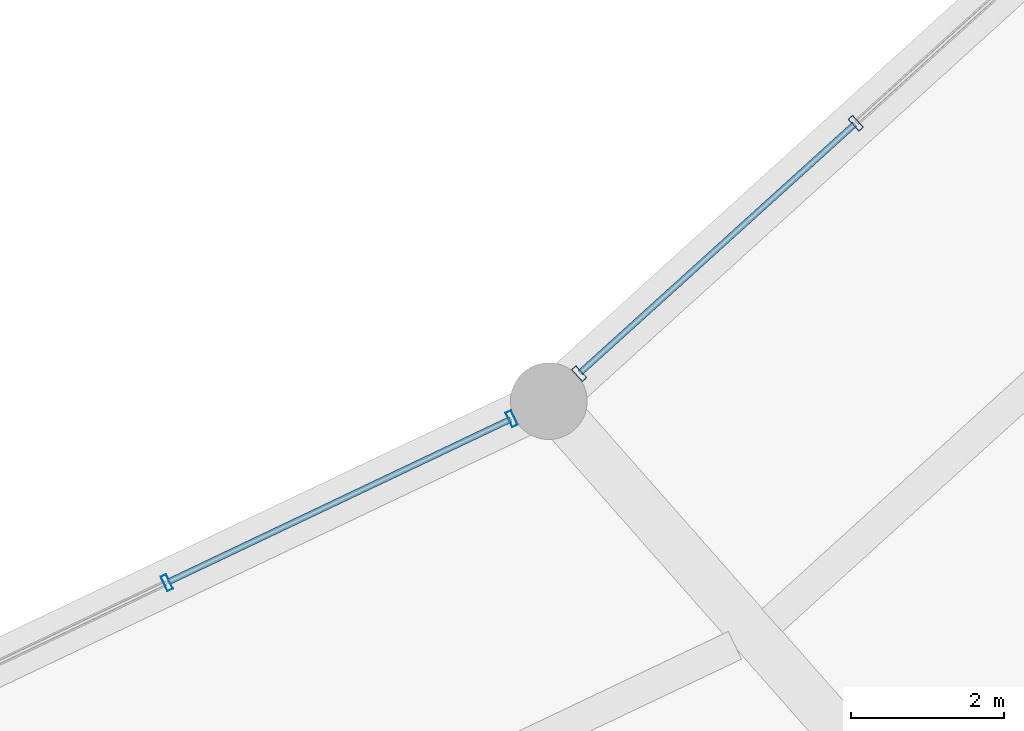
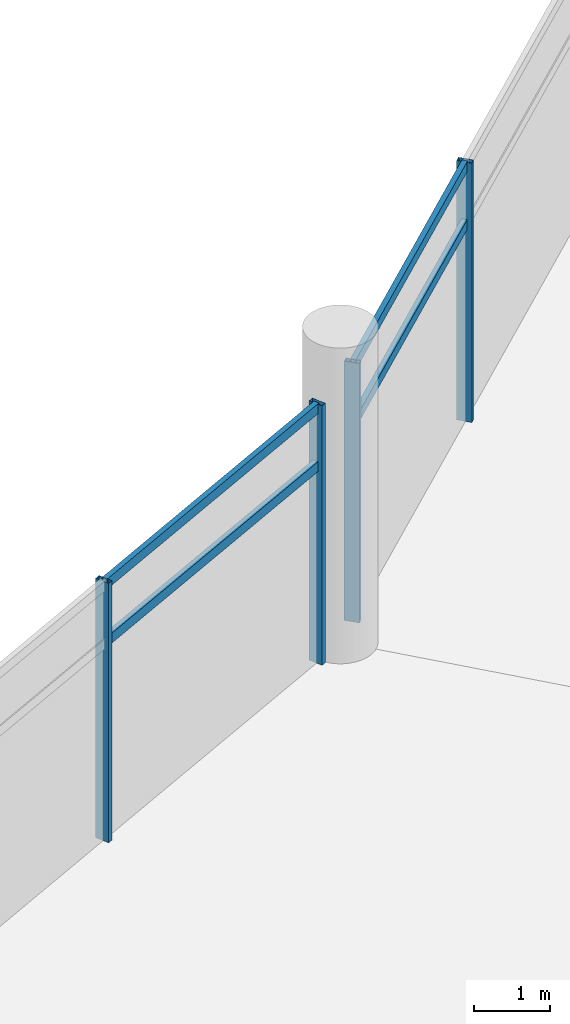
# One storey, part 67 of 184: 8 members, 2 elements without a shape of their own.
"""IFC4 building model written with IfcOpenShell, lengths in metres."""

from ifc_helpers import new_model, si_unit, direction, frame, origin, origin_2d, place, context, subcontext, project, spatial, hollow_rectangle, extrude, material, layer, layer_set, material_profile, profile_set, type_object, element, aggregate, save


model = new_model("IFC4")

# Units and contexts
model_context = context("Model", 3, precision=1e-05, world=origin(), true_north=direction((0.0, 1.0)))
body_context = subcontext(model_context, "Body", "Model", "MODEL_VIEW")
ifc_project = project(units=[si_unit("LENGTHUNIT", "METRE"), si_unit("AREAUNIT", "SQUARE_METRE"), si_unit("VOLUMEUNIT", "CUBIC_METRE"), si_unit("PLANEANGLEUNIT", "RADIAN"), si_unit("MASSUNIT", "GRAM", prefix="KILO")], contexts=[model_context])

# Site, building, storey
site_placement = place(None, origin())
site = spatial("IfcSite", under=ifc_project, at=site_placement, CompositionType="ELEMENT")
building_placement = place(site_placement, origin())
building = spatial("IfcBuilding", under=site, at=building_placement, Name="Kazemori Nagisa Stadium", CompositionType="ELEMENT")
storey_placement = place(building_placement, frame((0.0, 0.0, 10.5400390625)))
storey = spatial("IfcBuildingStorey", under=building, at=storey_placement, Name="L02", CompositionType="ELEMENT", Elevation=10.5400390625)

# Curtain wall, members
ifc_material_1 = material(Name="Anodised aluminium 6063-T5", Category="aluminium")
ifc_layer_1 = layer(ifc_material_1, 0.2099609375, Name="Anodised aluminium 6063-T5", Category="aluminium")
ifc_layer_set_1 = layer_set([ifc_layer_1], Name="Anodised aluminium 6063-T5")
curtain_wall_type_1 = type_object("IfcCurtainWallType", Name="CW_L02B_75", PredefinedType="USERDEFINED", material=ifc_layer_set_1)
curtain_wall_1_placement = place(storey_placement, origin())
curtain_wall_1 = element("IfcCurtainWall", 1, at=curtain_wall_1_placement, inside=storey, type_object=curtain_wall_type_1, Name="Unitised curtain wall CW-L02B-75 L02", ObjectType="UNITISED CURTAIN WALL", PredefinedType="USERDEFINED")
ifc_material_2 = material(Name="Aluminium 6063-T5 anodised", Category="aluminium")
ifc_material_profile_1 = material_profile(ifc_material_2, hollow_rectangle(XDim=0.080078125, YDim=0.2099609375, WallThickness=0.0048828125, at=origin_2d()), Name="ALU-MULL-80x210x5")
ifc_profile_set_1 = profile_set([ifc_material_profile_1], Name="Aluminium 6063-T5 anodised")
member_type_1 = type_object("IfcMemberType", Name="Mullion_M02", PredefinedType="MULLION", material=ifc_profile_set_1)
member_1_placement = place(storey_placement, frame((163.718994140625, 47.76171875, 0.0), z_axis=(0.0, 0.0, 1.0), x_axis=(0.903215892654, 0.429186499388, 0.0)))
member_1 = element("IfcMember", 2, at=member_1_placement, type_object=member_type_1, Name="Curtain wall mullion CW-L02B-75-M3", PredefinedType="MULLION", context=body_context, shape_type="SweptSolid", body=[
    extrude(hollow_rectangle(XDim=0.080078125, YDim=0.2099609375, WallThickness=0.0048828125, at=origin_2d()), origin(), (0.0, 0.0, 1.0), 4.18994140625),
])
member_2_placement = place(storey_placement, frame((168.21337890625, 49.897216796875, 0.0), z_axis=(0.0, 0.0, 1.0), x_axis=(0.903215892654, 0.429186499388, 0.0)))
member_2 = element("IfcMember", 3, at=member_2_placement, type_object=member_type_1, Name="Curtain wall mullion CW-L02B-75-M4", PredefinedType="MULLION", context=body_context, shape_type="SweptSolid", body=[
    extrude(hollow_rectangle(XDim=0.080078125, YDim=0.2099609375, WallThickness=0.0048828125, at=origin_2d()), origin(), (0.0, 0.0, 1.0), 4.18994140625),
])

ifc_layer_2 = layer(ifc_material_1, 0.2099609375, Name="Anodised aluminium 6063-T5", Category="aluminium")
ifc_layer_set_2 = layer_set([ifc_layer_2], Name="Anodised aluminium 6063-T5")
curtain_wall_type_2 = type_object("IfcCurtainWallType", Name="CW_L02B_73", PredefinedType="USERDEFINED", material=ifc_layer_set_2)
curtain_wall_2_placement = place(storey_placement, origin())
curtain_wall_2 = element("IfcCurtainWall", 4, at=curtain_wall_2_placement, inside=storey, type_object=curtain_wall_type_2, Name="Unitised curtain wall CW-L02B-73 L02", ObjectType="UNITISED CURTAIN WALL", PredefinedType="USERDEFINED")
member_3_placement = place(storey_placement, frame((169.09326171875, 50.486083984375, 0.0), z_axis=(0.0, 0.0, 1.0), x_axis=(0.741350875443, 0.671117634607, 0.0)))
member_3 = element("IfcMember", 5, at=member_3_placement, type_object=member_type_1, Name="Curtain wall mullion CW-L02B-73-M1", PredefinedType="MULLION", context=body_context, shape_type="SweptSolid", body=[
    extrude(hollow_rectangle(XDim=0.080078125, YDim=0.2099609375, WallThickness=0.0048828125, at=origin_2d()), origin(), (0.0, 0.0, 1.0), 4.18994140625),
])
member_4_placement = place(storey_placement, frame((172.697021484375, 53.74853515625, 0.0), z_axis=(0.0, 0.0, 1.0), x_axis=(0.741350875443, 0.671117634607, 0.0)))
member_4 = element("IfcMember", 6, at=member_4_placement, type_object=member_type_1, Name="Curtain wall mullion CW-L02B-73-M2", PredefinedType="MULLION", context=body_context, shape_type="SweptSolid", body=[
    extrude(hollow_rectangle(XDim=0.080078125, YDim=0.2099609375, WallThickness=0.0048828125, at=origin_2d()), origin(), (0.0, 0.0, 1.0), 4.18994140625),
])

# Member
ifc_material_profile_2 = material_profile(ifc_material_2, hollow_rectangle(XDim=0.080078125, YDim=0.159912109375, WallThickness=0.00390625, at=origin_2d()), Name="ALU-TRAN-80x160x4")
ifc_profile_set_2 = profile_set([ifc_material_profile_2], Name="Aluminium 6063-T5 anodised")
member_type_2 = type_object("IfcMemberType", Name="Transom_T02", PredefinedType="USERDEFINED", material=ifc_profile_set_2)
member_5_placement = place(storey_placement, frame((163.737060546875, 47.770263671875, 3.184326171875), z_axis=(0.903219509173, 0.429178888401, 0.0), x_axis=(-0.429178888401, 0.903219509173, 0.0)))
member_5 = element("IfcMember", 7, at=member_5_placement, type_object=member_type_2, Name="Curtain wall transom CW-L02B-75-T3-mid", ObjectType="TRANSOM", PredefinedType="USERDEFINED", context=body_context, shape_type="SweptSolid", body=[
    extrude(hollow_rectangle(XDim=0.080078125, YDim=0.159912109375, WallThickness=0.00390625, at=origin_2d()), origin(), (0.0, 0.0, 1.0), 4.93603515625),
])

member_6_placement = place(storey_placement, frame((163.737060546875, 47.770263671875, 4.119873046875), z_axis=(0.903219509173, 0.429178888401, 0.0), x_axis=(-0.429178888401, 0.903219509173, 0.0)))
member_6 = element("IfcMember", 8, at=member_6_placement, type_object=member_type_2, Name="Curtain wall transom CW-L02B-75-T3-head", ObjectType="TRANSOM", PredefinedType="USERDEFINED", context=body_context, shape_type="SweptSolid", body=[
    extrude(hollow_rectangle(XDim=0.080078125, YDim=0.159912109375, WallThickness=0.00390625, at=origin_2d()), origin(), (0.0, 0.0, 1.0), 4.93603515625),
])

aggregate(curtain_wall_1, [member_1, member_2, member_5, member_6])

member_7_placement = place(storey_placement, frame((169.10791015625, 50.49951171875, 3.184326171875), z_axis=(0.741375007746, 0.671090975866, 0.0), x_axis=(-0.671090975866, 0.741375007746, 0.0)))
member_7 = element("IfcMember", 9, at=member_7_placement, type_object=member_type_2, Name="Curtain wall transom CW-L02B-73-T1-mid", ObjectType="TRANSOM", PredefinedType="USERDEFINED", context=body_context, shape_type="SweptSolid", body=[
    extrude(hollow_rectangle(XDim=0.080078125, YDim=0.159912109375, WallThickness=0.00390625, at=origin_2d()), origin(), (0.0, 0.0, 1.0), 4.8212890625),
])

member_8_placement = place(storey_placement, frame((169.10791015625, 50.49951171875, 4.119873046875), z_axis=(0.741375007746, 0.671090975866, 0.0), x_axis=(-0.671090975866, 0.741375007746, 0.0)))
member_8 = element("IfcMember", 10, at=member_8_placement, type_object=member_type_2, Name="Curtain wall transom CW-L02B-73-T1-head", ObjectType="TRANSOM", PredefinedType="USERDEFINED", context=body_context, shape_type="SweptSolid", body=[
    extrude(hollow_rectangle(XDim=0.080078125, YDim=0.159912109375, WallThickness=0.00390625, at=origin_2d()), origin(), (0.0, 0.0, 1.0), 4.8212890625),
])

aggregate(curtain_wall_2, [member_3, member_4, member_7, member_8])

save(model, "model.ifc")
